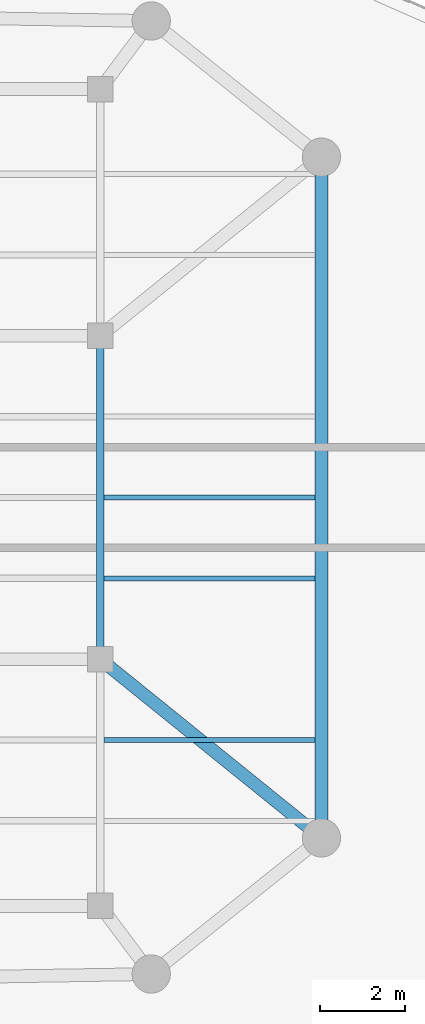
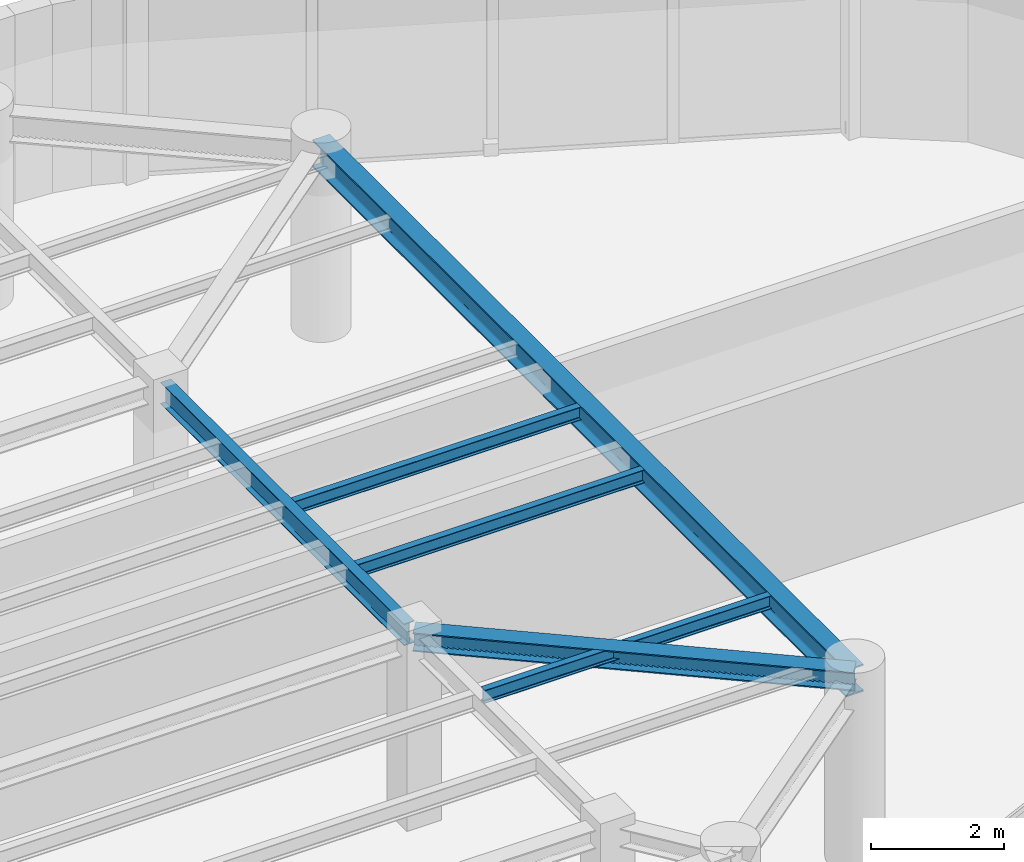
# One storey, part 3 of 13: 6 beams.
"""IFC4 building model written with IfcOpenShell, lengths in metres."""

from ifc_helpers import new_model, si_unit, direction, frame, origin, origin_2d, place, context, subcontext, project, spatial, i_section, extrude, material, material_profile, profile_set, type_object, element, save


model = new_model("IFC4")

# Units and contexts
model_context = context("Model", 3, precision=1e-05, world=origin(), true_north=direction((0.0, 1.0)))
body_context = subcontext(model_context, "Body", "Model", "MODEL_VIEW")
ifc_project = project(units=[si_unit("LENGTHUNIT", "METRE"), si_unit("AREAUNIT", "SQUARE_METRE"), si_unit("VOLUMEUNIT", "CUBIC_METRE"), si_unit("PLANEANGLEUNIT", "RADIAN"), si_unit("MASSUNIT", "GRAM", prefix="KILO")], contexts=[model_context])

# Site, building, storey
site_placement = place(None, origin())
site = spatial("IfcSite", under=ifc_project, at=site_placement, CompositionType="ELEMENT")
building_placement = place(site_placement, origin())
building = spatial("IfcBuilding", under=site, at=building_placement, Name="An Khanh Terracotta Commons", CompositionType="ELEMENT")
storey_placement = place(building_placement, frame((0.0, 0.0, 277.050048828125)))
storey = spatial("IfcBuildingStorey", under=building, at=storey_placement, Name="L72", CompositionType="ELEMENT", Elevation=277.050048828125)

# Beams
ifc_material = material(Name="Steel S355J2", Category="steel")
ifc_material_profile_1 = material_profile(ifc_material, i_section(OverallWidth=0.300048828125, OverallDepth=0.340087890625, WebThickness=0.011962890625, FlangeThickness=0.021484375, FilletRadius=0.027099609375, at=origin_2d()), Name="HEB340")
ifc_profile_set_1 = profile_set([ifc_material_profile_1], Name="Steel S355J2")
beam_type_1 = type_object("IfcBeamType", Name="BM-HEB340", PredefinedType="BEAM", material=ifc_profile_set_1)
beam_1_placement = place(storey_placement, frame((63.39990234375, 16.0, 3.280029296875), z_axis=(-0.777941866883, 0.628336256913, 0.0), x_axis=(-0.628336256913, -0.777941866883, 0.0)))
element("IfcBeam", 1, at=beam_1_placement, inside=storey, type_object=beam_type_1, Name="L72 Mega-Column Tie Girder 3", PredefinedType="BEAM", context=body_context, shape_type="SweptSolid", body=[
    extrude(i_section(OverallWidth=0.300048828125, OverallDepth=0.340087890625, WebThickness=0.011962890625, FlangeThickness=0.021484375, FilletRadius=0.027099609375, at=origin_2d()), origin(), (0.0, 0.0, 1.0), 6.684326171875),
])
ifc_material_profile_2 = material_profile(ifc_material, i_section(OverallWidth=0.300048828125, OverallDepth=0.5, WebThickness=0.014404296875, FlangeThickness=0.028076171875, FilletRadius=0.027099609375, at=origin_2d()), Name="HEB500")
ifc_profile_set_2 = profile_set([ifc_material_profile_2], Name="Steel S355J2")
beam_type_2 = type_object("IfcBeamType", Name="BM-HEB500", PredefinedType="BEAM", material=ifc_profile_set_2)
beam_2_placement = place(storey_placement, frame((63.39990234375, 16.0, 3.199951171875), z_axis=(0.0, 1.0, 0.0), x_axis=(-1.0, 0.0, 0.0)))
element("IfcBeam", 2, at=beam_2_placement, inside=storey, type_object=beam_type_2, Name="L72 Perimeter Ring Spandrel 3", PredefinedType="BEAM", context=body_context, shape_type="SweptSolid", body=[
    extrude(i_section(OverallWidth=0.300048828125, OverallDepth=0.5, WebThickness=0.014404296875, FlangeThickness=0.028076171875, FilletRadius=0.027099609375, at=origin_2d()), origin(), (0.0, 0.0, 1.0), 16.0),
])
ifc_material_profile_3 = material_profile(ifc_material, i_section(OverallWidth=0.1201171875, OverallDepth=0.239990234375, WebThickness=0.006103515625, FlangeThickness=0.009765625, FilletRadius=0.014892578125, at=origin_2d()), Name="IPE240")
ifc_profile_set_3 = profile_set([ifc_material_profile_3], Name="Steel S355J2")
beam_type_3 = type_object("IfcBeamType", Name="BM-IPE240", PredefinedType="JOIST", material=ifc_profile_set_3)
for number, where, z_axis, x_axis, name in (
    (3, (58.2900390625, 18.300048828125, 3.329833984375), (1.0, 0.0, 0.0), (0.0, 1.0, 0.0), "L72 Riverfront Composite Joist 2"),
    (4, (58.2900390625, 22.10009765625, 3.329833984375), (1.0, 0.0, 0.0), (0.0, 1.0, 0.0), "L72 Riverfront Composite Joist 3"),
    (5, (58.2900390625, 24.0, 3.329833984375), (1.0, 0.0, 0.0), (0.0, 1.0, 0.0), "L72 Riverfront Composite Joist 4"),
):
    element("IfcBeam", number, at=place(storey_placement, frame(where, z_axis=z_axis, x_axis=x_axis)), inside=storey, type_object=beam_type_3, Name=name, PredefinedType="JOIST", context=body_context, shape_type="SweptSolid", body=[
        extrude(i_section(OverallWidth=0.1201171875, OverallDepth=0.239990234375, WebThickness=0.006103515625, FlangeThickness=0.009765625, FilletRadius=0.014892578125, at=origin_2d()), origin(), (0.0, 0.0, 1.0), 4.9599609375),
    ])
ifc_material_profile_4 = material_profile(ifc_material, i_section(OverallWidth=0.179931640625, OverallDepth=0.39990234375, WebThickness=0.008544921875, FlangeThickness=0.013427734375, FilletRadius=0.02099609375, at=origin_2d()), Name="IPE400")
ifc_profile_set_4 = profile_set([ifc_material_profile_4], Name="Steel S355J2")
beam_type_4 = type_object("IfcBeamType", Name="BM-IPE400", PredefinedType="JOIST", material=ifc_profile_set_4)
beam_3_placement = place(storey_placement, frame((58.199951171875, 20.35009765625, 3.25), z_axis=(0.0, 1.0, 0.0), x_axis=(-1.0, 0.0, 0.0)))
element("IfcBeam", 6, at=beam_3_placement, inside=storey, type_object=beam_type_4, Name="L72 East Spine Girder 2", PredefinedType="JOIST", context=body_context, shape_type="SweptSolid", body=[
    extrude(i_section(OverallWidth=0.179931640625, OverallDepth=0.39990234375, WebThickness=0.008544921875, FlangeThickness=0.013427734375, FilletRadius=0.02099609375, at=origin_2d()), origin(), (0.0, 0.0, 1.0), 7.2998046875),
])

save(model, "model.ifc")
